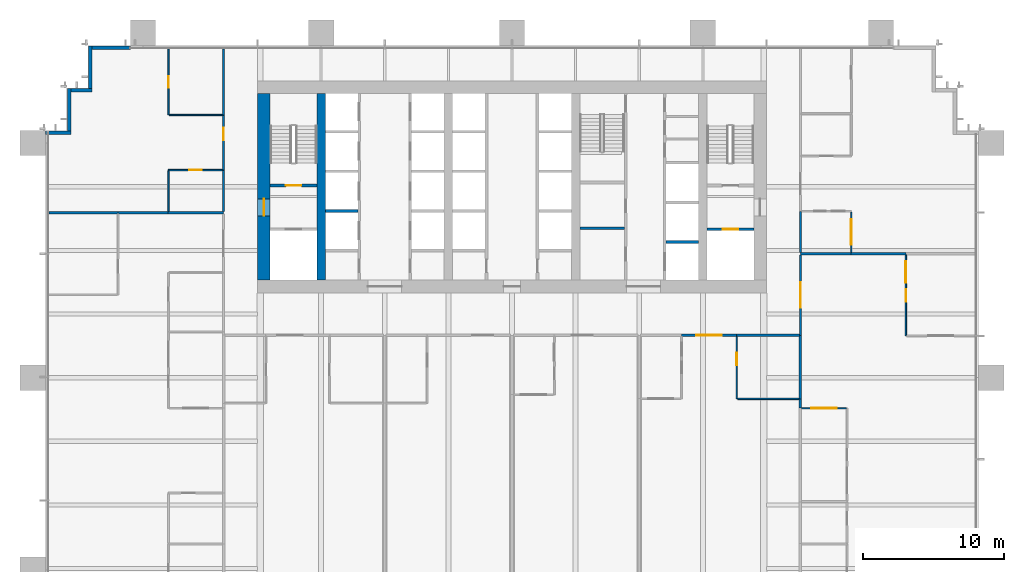
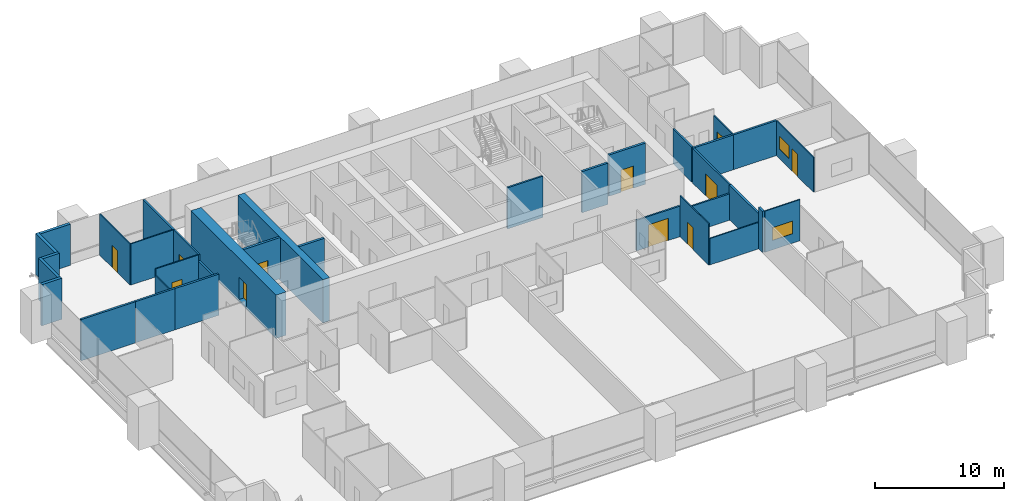
# One storey, part 13 of 18: 35 walls, 10 doors, 3 windows, 13 openings.
"""IFC4 building model written with IfcOpenShell, lengths in metres."""

from ifc_helpers import new_model, si_unit, direction, frame, frame_2d, origin, place, context, subcontext, project, spatial, rectangle, extrude, material, layer, layer_set, type_object, element, fill, save


model = new_model("IFC4")

# Units and contexts
model_context = context("Model", 3, precision=1e-05, world=origin(), true_north=direction((0.0, 1.0)))
body_context = subcontext(model_context, "Body", "Model", "MODEL_VIEW")
ifc_project = project(units=[si_unit("LENGTHUNIT", "METRE"), si_unit("AREAUNIT", "SQUARE_METRE"), si_unit("VOLUMEUNIT", "CUBIC_METRE"), si_unit("PLANEANGLEUNIT", "RADIAN"), si_unit("MASSUNIT", "GRAM", prefix="KILO")], contexts=[model_context])

# Site, building, storey
site_placement = place(None, origin())
site = spatial("IfcSite", under=ifc_project, at=site_placement, CompositionType="ELEMENT")
building_placement = place(site_placement, origin())
building = spatial("IfcBuilding", under=site, at=building_placement, Name="Rattan Terrace Tower", CompositionType="ELEMENT")
storey_placement = place(building_placement, frame((0.0, 0.0, 36.5)))
storey = spatial("IfcBuildingStorey", under=building, at=storey_placement, Name="L07", CompositionType="ELEMENT", Elevation=36.5)

# Wall
ifc_material_1 = material(Name="Gypsum board partition")
ifc_layer_1 = layer(ifc_material_1, 0.14990234375)
ifc_layer_set_1 = layer_set([ifc_layer_1], Name="Core partition 150")
wall_type_1 = type_object("IfcWallType", Name="Core partition 150", PredefinedType="PARTITIONING", material=ifc_layer_set_1)
wall_1_placement = place(storey_placement, frame((4.800048828125, -2.927978515625, 0.0), z_axis=(0.0, 0.0, 1.0), x_axis=(1.0, 0.0, 0.0)))
element("IfcWall", 1, at=wall_1_placement, inside=storey, type_object=wall_type_1, Name="Toilet wall", PredefinedType="PARTITIONING", context=body_context, shape_type="SweptSolid", body=[
    extrude(rectangle(XDim=3.14990234375, YDim=0.14990234375, at=frame_2d((1.574951171875, 0.0))), origin(), (0.0, 0.0, 1.0), 3.89990234375),
])

# Wall, opening, door
ifc_material_2 = material(Name="Gypsum board partition")
ifc_layer_2 = layer(ifc_material_2, 0.199951171875)
ifc_layer_set_2 = layer_set([ifc_layer_2], Name="Core partition 200")
wall_type_2 = type_object("IfcWallType", Name="Core partition 200", PredefinedType="PARTITIONING", material=ifc_layer_set_2)
wall_2_placement = place(storey_placement, frame((-17.10009765625, 0.10009765625, 0.0), z_axis=(0.0, 0.0, 1.0), x_axis=(1.0, 0.0, 0.0)))
wall_2 = element("IfcWall", 2, at=wall_2_placement, inside=storey, type_object=wall_type_2, Name="Stair enclosure wall", PredefinedType="PARTITIONING", context=body_context, shape_type="SweptSolid", body=[
    extrude(rectangle(XDim=3.300048828125, YDim=0.199951171875, at=frame_2d((1.64990234375, 0.0))), origin(), (0.0, 0.0, 1.0), 3.89990234375),
])
opening_1_placement = place(wall_2_placement, frame((1.10009765625, 0.0, 0.0)))
opening_1 = element("IfcOpeningElement", 3, at=opening_1_placement, cuts=wall_2, Name="Opening L07-D002", PredefinedType="OPENING", context=body_context, shape_type="SweptSolid", body=[
    extrude(rectangle(XDim=1.10009765625, YDim=2.10009765625, at=frame_2d((0.550048828125, 1.050048828125))), frame((0.0, 0.110595703125, 0.0), z_axis=(0.0, -1.0, 0.0), x_axis=(1.0, 0.0, 0.0)), (0.0, 0.0, 1.0), 0.220947265625),
])
ifc_material_3 = material(Name="Hollow-metal fire door leaf")
door_type_1 = type_object("IfcDoorType", Name="Core stair door 1100", OperationType="NOTDEFINED", PredefinedType="DOOR", material=ifc_material_3)
door_1_placement = place(opening_1_placement, origin())
door_1 = element("IfcDoor", 4, at=door_1_placement, inside=storey, type_object=door_type_1, Name="Door L07-D002", OperationType="SINGLE_SWING_RIGHT", OverallHeight=2.10009765625, OverallWidth=1.10009765625, PredefinedType="DOOR", context=body_context, shape_type="SweptSolid", body=[
    extrude(rectangle(XDim=1.10009765625, YDim=2.10009765625, at=frame_2d((0.550048828125, 1.050048828125))), frame((0.0, 0.02490234375, 0.0), z_axis=(0.0, -1.0, 0.0), x_axis=(1.0, 0.0, 0.0)), (0.0, 0.0, 1.0), 0.050048828125),
])
fill(opening_1, door_1)

wall_3_placement = place(storey_placement, frame((13.800048828125, -3.0, 0.0), z_axis=(0.0, 0.0, 1.0), x_axis=(1.0, 0.0, 0.0)))
wall_3 = element("IfcWall", 5, at=wall_3_placement, inside=storey, type_object=wall_type_2, Name="Fire-fighting lobby wall", PredefinedType="PARTITIONING", context=body_context, shape_type="SweptSolid", body=[
    extrude(rectangle(XDim=3.300048828125, YDim=0.199951171875, at=frame_2d((1.64990234375, 0.0))), origin(), (0.0, 0.0, 1.0), 3.89990234375),
])
opening_2_placement = place(wall_3_placement, frame((1.10009765625, 0.0, 0.0)))
opening_2 = element("IfcOpeningElement", 6, at=opening_2_placement, cuts=wall_3, Name="Opening L07-LD-FF2", PredefinedType="OPENING", context=body_context, shape_type="SweptSolid", body=[
    extrude(rectangle(XDim=1.10009765625, YDim=2.10009765625, at=frame_2d((0.550048828125, 1.050048828125))), frame((0.0, 0.110595703125, 0.0), z_axis=(0.0, -1.0, 0.0), x_axis=(1.0, 0.0, 0.0)), (0.0, 0.0, 1.0), 0.220947265625),
])
ifc_material_4 = material(Name="Brushed stainless landing door panel")
door_type_2 = type_object("IfcDoorType", Name="Core lift landing door 1100", OperationType="DOUBLE_DOOR_SLIDING", PredefinedType="DOOR", material=ifc_material_4)
door_2_placement = place(opening_2_placement, origin())
door_2 = element("IfcDoor", 7, at=door_2_placement, inside=storey, type_object=door_type_2, Name="Door L07-LD-FF2", OperationType="DOUBLE_DOOR_SLIDING", OverallHeight=2.10009765625, OverallWidth=1.10009765625, PredefinedType="DOOR", context=body_context, shape_type="SweptSolid", body=[
    extrude(rectangle(XDim=1.10009765625, YDim=2.10009765625, at=frame_2d((0.550048828125, 1.050048828125))), frame((0.0, 0.02490234375, 0.0), z_axis=(0.0, -1.0, 0.0), x_axis=(1.0, 0.0, 0.0)), (0.0, 0.0, 1.0), 0.050048828125),
])
fill(opening_2, door_2)

ifc_material_5 = material(Name="Concrete C70/85", Category="concrete")
ifc_layer_3 = layer(ifc_material_5, 0.89990234375)
ifc_layer_set_3 = layer_set([ifc_layer_3], Name="Core ring wall 900 C70/85")
wall_type_3 = type_object("IfcWallType", Name="Core ring wall 900 C70/85", PredefinedType="SHEAR", material=ifc_layer_set_3)
wall_4_placement = place(storey_placement, frame((-17.550048828125, -6.60009765625, -0.199951171875), z_axis=(0.0, 0.0, 1.0), x_axis=(0.0, 1.0, 0.0)))
wall_4 = element("IfcWall", 8, at=wall_4_placement, inside=storey, type_object=wall_type_3, Name="Rear core wall west", PredefinedType="SHEAR", context=body_context, shape_type="SweptSolid", body=[
    extrude(rectangle(XDim=13.2001953125, YDim=0.89990234375, at=frame_2d((6.60009765625, 0.0))), origin(), (0.0, 0.0, 1.0), 4.099853515625),
])
opening_3_placement = place(wall_4_placement, frame((4.550048828125, 0.0, 0.199951171875)))
opening_3 = element("IfcOpeningElement", 9, at=opening_3_placement, cuts=wall_4, Name="Opening L07-D001", PredefinedType="OPENING", context=body_context, shape_type="SweptSolid", body=[
    extrude(rectangle(XDim=1.199951171875, YDim=2.10009765625, at=frame_2d((0.60009765625, 1.050048828125))), frame((0.0, 0.46044921875, 0.0), z_axis=(0.0, -1.0, 0.0), x_axis=(1.0, 0.0, 0.0)), (0.0, 0.0, 1.0), 0.9208984375),
])
ifc_material_6 = material(Name="Hollow-metal fire door leaf")
door_type_3 = type_object("IfcDoorType", Name="Core fire-fighting lobby door 1200", OperationType="NOTDEFINED", PredefinedType="DOOR", material=ifc_material_6)
door_3_placement = place(opening_3_placement, origin())
door_3 = element("IfcDoor", 10, at=door_3_placement, inside=storey, type_object=door_type_3, Name="Door L07-D001", OperationType="SINGLE_SWING_LEFT", OverallHeight=2.10009765625, OverallWidth=1.199951171875, PredefinedType="DOOR", context=body_context, shape_type="SweptSolid", body=[
    extrude(rectangle(XDim=1.199951171875, YDim=2.10009765625, at=frame_2d((0.60009765625, 1.050048828125))), frame((0.0, 0.02490234375, 0.0), z_axis=(0.0, -1.0, 0.0), x_axis=(1.0, 0.0, 0.0)), (0.0, 0.0, 1.0), 0.050048828125),
])
fill(opening_3, door_3)

# Walls
ifc_material_7 = material(Name="Concrete C70/85", Category="concrete")
ifc_layer_4 = layer(ifc_material_7, 0.60009765625)
ifc_layer_set_4 = layer_set([ifc_layer_4], Name="Core spine wall 600 C70/85")
wall_type_4 = type_object("IfcWallType", Name="Core spine wall 600 C70/85", PredefinedType="SHEAR", material=ifc_layer_set_4)
wall_5_placement = place(storey_placement, frame((-13.5, -6.60009765625, -0.199951171875), z_axis=(0.0, 0.0, 1.0), x_axis=(0.0, 1.0, 0.0)))
element("IfcWall", 11, at=wall_5_placement, inside=storey, type_object=wall_type_4, Name="Core spine wall 1", PredefinedType="SHEAR", context=body_context, shape_type="SweptSolid", body=[
    extrude(rectangle(XDim=13.2001953125, YDim=0.60009765625, at=frame_2d((6.60009765625, 0.0))), origin(), (0.0, 0.0, 1.0), 4.099853515625),
])
ifc_material_8 = material(Name="Insulated aluminium-clad stud wall", Category="aluminium")
ifc_layer_5 = layer(ifc_material_8, 0.25)
ifc_layer_set_5 = layer_set([ifc_layer_5], Name="Facade Riser Wall 250")
wall_type_5 = type_object("IfcWallType", Name="Facade Riser Wall 250", PredefinedType="SOLIDWALL", material=ifc_layer_set_5)
wall_6_placement = place(storey_placement, frame((-27.0, 9.830078125, 0.0), z_axis=(0.0, 0.0, 1.0), x_axis=(-1.0, 0.0, 0.0)))
element("IfcWall", 12, at=wall_6_placement, inside=storey, type_object=wall_type_5, Name="Riser wall L07-11", PredefinedType="SOLIDWALL", context=body_context, shape_type="SweptSolid", body=[
    extrude(rectangle(XDim=2.705078125, YDim=0.25, at=frame_2d((1.3525390625, 0.0))), origin(), (0.0, 0.0, 1.0), 3.89990234375),
])
wall_7_placement = place(storey_placement, frame((-29.830078125, 9.955078125, 0.0), z_axis=(0.0, 0.0, 1.0), x_axis=(0.0, -1.0, 0.0)))
element("IfcWall", 13, at=wall_7_placement, inside=storey, type_object=wall_type_5, Name="Riser wall L07-12", PredefinedType="SOLIDWALL", context=body_context, shape_type="SweptSolid", body=[
    extrude(rectangle(XDim=3.0, YDim=0.25, at=frame_2d((1.5, 0.0))), origin(), (0.0, 0.0, 1.0), 3.89990234375),
])
wall_8_placement = place(storey_placement, frame((-29.705078125, 6.830078125, 0.0), z_axis=(0.0, 0.0, 1.0), x_axis=(-1.0, 0.0, 0.0)))
element("IfcWall", 14, at=wall_8_placement, inside=storey, type_object=wall_type_5, Name="Riser wall L07-13", PredefinedType="SOLIDWALL", context=body_context, shape_type="SweptSolid", body=[
    extrude(rectangle(XDim=1.5, YDim=0.25, at=frame_2d((0.75, 0.0))), origin(), (0.0, 0.0, 1.0), 3.89990234375),
])
wall_9_placement = place(storey_placement, frame((-31.330078125, 6.955078125, 0.0), z_axis=(0.0, 0.0, 1.0), x_axis=(0.0, -1.0, 0.0)))
element("IfcWall", 15, at=wall_9_placement, inside=storey, type_object=wall_type_5, Name="Riser wall L07-14", PredefinedType="SOLIDWALL", context=body_context, shape_type="SweptSolid", body=[
    extrude(rectangle(XDim=3.0, YDim=0.25, at=frame_2d((1.5, 0.0))), origin(), (0.0, 0.0, 1.0), 3.89990234375),
])
wall_10_placement = place(storey_placement, frame((-31.205078125, 3.830078125, 0.0), z_axis=(0.0, 0.0, 1.0), x_axis=(-1.0, 0.0, 0.0)))
element("IfcWall", 16, at=wall_10_placement, inside=storey, type_object=wall_type_5, Name="Riser wall L07-15", PredefinedType="SOLIDWALL", context=body_context, shape_type="SweptSolid", body=[
    extrude(rectangle(XDim=1.7998046875, YDim=0.25, at=frame_2d((0.89990234375, 0.0))), origin(), (0.0, 0.0, 1.0), 3.89990234375),
])
ifc_material_9 = material(Name="Double steel stud acoustic partition, gypsum board, mineral wool, fire rated", Category="steel")
ifc_layer_6 = layer(ifc_material_9, 0.179931640625)
ifc_layer_set_6 = layer_set([ifc_layer_6], Name="Floors Acoustic Party Wall 180")
wall_type_6 = type_object("IfcWallType", Name="Floors Acoustic Party Wall 180", PredefinedType="PARTITIONING", material=ifc_layer_set_6)
wall_11_placement = place(storey_placement, frame((-27.860107421875, -1.818115234375, 0.0), z_axis=(0.0, 0.0, 1.0), x_axis=(1.0, 0.0, 0.0)))
element("IfcWall", 17, at=wall_11_placement, inside=storey, type_object=wall_type_6, Name="pt-L07-032", PredefinedType="PARTITIONING", context=body_context, shape_type="SweptSolid", body=[
    extrude(rectangle(XDim=3.5400390625, YDim=0.179931640625, at=frame_2d((1.77001953125, 0.0))), origin(), (0.0, 0.0, 1.0), 3.89990234375),
])
wall_12_placement = place(storey_placement, frame((-24.320068359375, -1.818115234375, 0.0), z_axis=(0.0, 0.0, 1.0), x_axis=(1.0, 0.0, 0.0)))
element("IfcWall", 18, at=wall_12_placement, inside=storey, type_object=wall_type_6, Name="pt-L07-033", PredefinedType="PARTITIONING", context=body_context, shape_type="SweptSolid", body=[
    extrude(rectangle(XDim=3.920166015625, YDim=0.179931640625, at=frame_2d((1.9599609375, 0.0))), origin(), (0.0, 0.0, 1.0), 3.89990234375),
])
wall_13_placement = place(storey_placement, frame((-32.739990234375, -1.818115234375, 0.0), z_axis=(0.0, 0.0, 1.0), x_axis=(1.0, 0.0, 0.0)))
element("IfcWall", 19, at=wall_13_placement, inside=storey, type_object=wall_type_6, Name="pt-L07-035", PredefinedType="PARTITIONING", context=body_context, shape_type="SweptSolid", body=[
    extrude(rectangle(XDim=4.8798828125, YDim=0.179931640625, at=frame_2d((2.43994140625, 0.0))), origin(), (0.0, 0.0, 1.0), 3.89990234375),
])
wall_14_placement = place(storey_placement, frame((20.39990234375, -15.0, 0.0), z_axis=(0.0, 0.0, 1.0), x_axis=(0.0, -1.0, 0.0)))
element("IfcWall", 20, at=wall_14_placement, inside=storey, type_object=wall_type_6, Name="pt-L07-066", PredefinedType="PARTITIONING", context=body_context, shape_type="SweptSolid", body=[
    extrude(rectangle(XDim=0.639892578125, YDim=0.179931640625, at=frame_2d((0.31982421875, 0.0))), origin(), (0.0, 0.0, 1.0), 3.89990234375),
])
wall_15_placement = place(storey_placement, frame((20.39990234375, -10.5, 0.0), z_axis=(0.0, 0.0, 1.0), x_axis=(0.0, -1.0, 0.0)))
element("IfcWall", 21, at=wall_15_placement, inside=storey, type_object=wall_type_6, Name="pt-L07-071", PredefinedType="PARTITIONING", context=body_context, shape_type="SweptSolid", body=[
    extrude(rectangle(XDim=4.5, YDim=0.179931640625, at=frame_2d((2.25, 0.0))), origin(), (0.0, 0.0, 1.0), 3.300048828125),
])
wall_16_placement = place(storey_placement, frame((23.97998046875, -4.72705078125, 0.0), z_axis=(0.0, 0.0, 1.0), x_axis=(1.0, 0.0, 0.0)))
element("IfcWall", 22, at=wall_16_placement, inside=storey, type_object=wall_type_6, Name="pt-L07-079", PredefinedType="PARTITIONING", context=body_context, shape_type="SweptSolid", body=[
    extrude(rectangle(XDim=3.880126953125, YDim=0.179931640625, at=frame_2d((1.93994140625, 0.0))), origin(), (0.0, 0.0, 1.0), 3.300048828125),
])
wall_17_placement = place(storey_placement, frame((20.39990234375, -4.72705078125, 0.0), z_axis=(0.0, 0.0, 1.0), x_axis=(1.0, 0.0, 0.0)))
element("IfcWall", 23, at=wall_17_placement, inside=storey, type_object=wall_type_6, Name="pt-L07-080", PredefinedType="PARTITIONING", context=body_context, shape_type="SweptSolid", body=[
    extrude(rectangle(XDim=3.580078125, YDim=0.179931640625, at=frame_2d((1.7900390625, 0.0))), origin(), (0.0, 0.0, 1.0), 3.300048828125),
])
ifc_material_10 = material(Name="Gypsum board partition on steel studs", Category="steel")
ifc_layer_7 = layer(ifc_material_10, 0.10009765625)
ifc_layer_set_7 = layer_set([ifc_layer_7], Name="Floors Partition 100")
wall_type_7 = type_object("IfcWallType", Name="Floors Partition 100", PredefinedType="PARTITIONING", material=ifc_layer_set_7)
wall_18_placement = place(storey_placement, frame((-24.300048828125, 1.132080078125, 0.0), z_axis=(0.0, 0.0, 1.0), x_axis=(0.0, -1.0, 0.0)))
element("IfcWall", 24, at=wall_18_placement, inside=storey, type_object=wall_type_7, Name="pt-L07-044", PredefinedType="PARTITIONING", context=body_context, shape_type="SweptSolid", body=[
    extrude(rectangle(XDim=2.860107421875, YDim=0.10009765625, at=frame_2d((1.43017578125, 0.0))), origin(), (0.0, 0.0, 1.0), 3.300048828125),
])

# Wall, opening, door
wall_19_placement = place(storey_placement, frame((-20.47509765625, 1.181884765625, 0.0), z_axis=(0.0, 0.0, 1.0), x_axis=(-1.0, 0.0, 0.0)))
wall_19 = element("IfcWall", 25, at=wall_19_placement, inside=storey, type_object=wall_type_7, Name="pt-L07-045", PredefinedType="PARTITIONING", context=body_context, shape_type="SweptSolid", body=[
    extrude(rectangle(XDim=3.824951171875, YDim=0.10009765625, at=frame_2d((1.91259765625, 0.0))), origin(), (0.0, 0.0, 1.0), 3.89990234375),
])
opening_4_placement = place(wall_19_placement, frame((1.4619140625, 0.0, 0.0)))
opening_4 = element("IfcOpeningElement", 26, at=opening_4_placement, cuts=wall_19, Name="Opening L07-D108", PredefinedType="OPENING", context=body_context, shape_type="SweptSolid", body=[
    extrude(rectangle(XDim=0.89990234375, YDim=2.10009765625, at=frame_2d((0.449951171875, 1.050048828125))), frame((0.0, 0.060546875, 0.0), z_axis=(0.0, -1.0, 0.0), x_axis=(1.0, 0.0, 0.0)), (0.0, 0.0, 1.0), 0.12109375),
])
ifc_material_11 = material(Name="Solid core timber door, painted", Category="wood")
door_type_4 = type_object("IfcDoorType", Name="Floors Door 900x2100", OperationType="NOTDEFINED", PredefinedType="DOOR", material=ifc_material_11)
door_4_placement = place(opening_4_placement, origin())
door_4 = element("IfcDoor", 27, at=door_4_placement, inside=storey, type_object=door_type_4, Name="d-L07-108", OperationType="SINGLE_SWING_LEFT", OverallHeight=2.10009765625, OverallWidth=0.89990234375, PredefinedType="DOOR", context=body_context, shape_type="SweptSolid", body=[
    extrude(rectangle(XDim=0.89990234375, YDim=2.10009765625, at=frame_2d((0.449951171875, 1.050048828125))), frame((0.0, 0.02490234375, 0.0), z_axis=(0.0, -1.0, 0.0), x_axis=(1.0, 0.0, 0.0)), (0.0, 0.0, 1.0), 0.050048828125),
])
fill(opening_4, door_4)

wall_20_placement = place(storey_placement, frame((-24.300048828125, 9.739990234375, 0.0), z_axis=(0.0, 0.0, 1.0), x_axis=(0.0, -1.0, 0.0)))
wall_20 = element("IfcWall", 28, at=wall_20_placement, inside=storey, type_object=wall_type_7, Name="pt-L07-046", PredefinedType="PARTITIONING", context=body_context, shape_type="SweptSolid", body=[
    extrude(rectangle(XDim=4.657958984375, YDim=0.10009765625, at=frame_2d((2.3291015625, 0.0))), origin(), (0.0, 0.0, 1.0), 3.89990234375),
])
opening_5_placement = place(wall_20_placement, frame((1.928955078125, 0.0, 0.0)))
opening_5 = element("IfcOpeningElement", 29, at=opening_5_placement, cuts=wall_20, Name="Opening L07-D109", PredefinedType="OPENING", context=body_context, shape_type="SweptSolid", body=[
    extrude(rectangle(XDim=0.800048828125, YDim=2.10009765625, at=frame_2d((0.39990234375, 1.050048828125))), frame((0.0, 0.060546875, 0.0), z_axis=(0.0, -1.0, 0.0), x_axis=(1.0, 0.0, 0.0)), (0.0, 0.0, 1.0), 0.12109375),
])
ifc_material_12 = material(Name="Solid core timber door, painted", Category="wood")
door_type_5 = type_object("IfcDoorType", Name="Floors Store Door 800x2100", OperationType="NOTDEFINED", PredefinedType="DOOR", material=ifc_material_12)
door_5_placement = place(opening_5_placement, origin())
door_5 = element("IfcDoor", 30, at=door_5_placement, inside=storey, type_object=door_type_5, Name="d-L07-109", OperationType="SINGLE_SWING_RIGHT", OverallHeight=2.10009765625, OverallWidth=0.800048828125, PredefinedType="DOOR", context=body_context, shape_type="SweptSolid", body=[
    extrude(rectangle(XDim=0.800048828125, YDim=2.10009765625, at=frame_2d((0.39990234375, 1.050048828125))), frame((0.0, 0.02490234375, 0.0), z_axis=(0.0, -1.0, 0.0), x_axis=(1.0, 0.0, 0.0)), (0.0, 0.0, 1.0), 0.050048828125),
])
fill(opening_5, door_5)

# Wall
wall_21_placement = place(storey_placement, frame((-24.25, 5.08203125, 0.0), z_axis=(0.0, 0.0, 1.0), x_axis=(1.0, 0.0, 0.0)))
element("IfcWall", 31, at=wall_21_placement, inside=storey, type_object=wall_type_7, Name="pt-L07-047", PredefinedType="PARTITIONING", context=body_context, shape_type="SweptSolid", body=[
    extrude(rectangle(XDim=3.77490234375, YDim=0.10009765625, at=frame_2d((1.887451171875, 0.0))), origin(), (0.0, 0.0, 1.0), 3.89990234375),
])

# Wall, opening, door
wall_22_placement = place(storey_placement, frame((15.89990234375, -10.574951171875, 0.0), z_axis=(0.0, 0.0, 1.0), x_axis=(0.0, -1.0, 0.0)))
wall_22 = element("IfcWall", 32, at=wall_22_placement, inside=storey, type_object=wall_type_7, Name="pt-L07-064", PredefinedType="PARTITIONING", context=body_context, shape_type="SweptSolid", body=[
    extrude(rectangle(XDim=4.425048828125, YDim=0.10009765625, at=frame_2d((2.21240234375, 0.0))), origin(), (0.0, 0.0, 1.0), 3.89990234375),
])
opening_6_placement = place(wall_22_placement, frame((1.157958984375, 0.0, 0.0)))
opening_6 = element("IfcOpeningElement", 33, at=opening_6_placement, cuts=wall_22, Name="Opening L07-D119", PredefinedType="OPENING", context=body_context, shape_type="SweptSolid", body=[
    extrude(rectangle(XDim=0.89990234375, YDim=2.10009765625, at=frame_2d((0.449951171875, 1.050048828125))), frame((0.0, 0.060546875, 0.0), z_axis=(0.0, -1.0, 0.0), x_axis=(1.0, 0.0, 0.0)), (0.0, 0.0, 1.0), 0.12109375),
])
door_6_placement = place(opening_6_placement, origin())
door_6 = element("IfcDoor", 34, at=door_6_placement, inside=storey, type_object=door_type_4, Name="d-L07-119", OperationType="SINGLE_SWING_LEFT", OverallHeight=2.10009765625, OverallWidth=0.89990234375, PredefinedType="DOOR", context=body_context, shape_type="SweptSolid", body=[
    extrude(rectangle(XDim=0.89990234375, YDim=2.10009765625, at=frame_2d((0.449951171875, 1.050048828125))), frame((0.0, 0.02490234375, 0.0), z_axis=(0.0, -1.0, 0.0), x_axis=(1.0, 0.0, 0.0)), (0.0, 0.0, 1.0), 0.050048828125),
])
fill(opening_6, door_6)

# Wall
wall_23_placement = place(storey_placement, frame((15.949951171875, -15.0, 0.0), z_axis=(0.0, 0.0, 1.0), x_axis=(1.0, 0.0, 0.0)))
element("IfcWall", 35, at=wall_23_placement, inside=storey, type_object=wall_type_7, Name="pt-L07-065", PredefinedType="PARTITIONING", context=body_context, shape_type="SweptSolid", body=[
    extrude(rectangle(XDim=4.360107421875, YDim=0.10009765625, at=frame_2d((2.18017578125, 0.0))), origin(), (0.0, 0.0, 1.0), 2.5),
])

# Wall, openings, door, window
wall_24_placement = place(storey_placement, frame((27.860107421875, -4.81689453125, 0.0), z_axis=(0.0, 0.0, 1.0), x_axis=(0.0, -1.0, 0.0)))
wall_24 = element("IfcWall", 36, at=wall_24_placement, inside=storey, type_object=wall_type_7, Name="pt-L07-072", PredefinedType="PARTITIONING", context=body_context, shape_type="SweptSolid", body=[
    extrude(rectangle(XDim=5.72802734375, YDim=0.10009765625, at=frame_2d((2.864013671875, 0.0))), origin(), (0.0, 0.0, 1.0), 3.300048828125),
])
opening_7_placement = place(wall_24_placement, frame((2.4140625, 0.0, 0.0)))
opening_7 = element("IfcOpeningElement", 37, at=opening_7_placement, cuts=wall_24, Name="Opening L07-D121", PredefinedType="OPENING", context=body_context, shape_type="SweptSolid", body=[
    extrude(rectangle(XDim=0.89990234375, YDim=2.10009765625, at=frame_2d((0.449951171875, 1.050048828125))), frame((0.0, 0.060546875, 0.0), z_axis=(0.0, -1.0, 0.0), x_axis=(1.0, 0.0, 0.0)), (0.0, 0.0, 1.0), 0.12109375),
])
opening_8_placement = place(wall_24_placement, frame((0.45703125, 0.0, 0.89990234375)))
opening_8 = element("IfcOpeningElement", 38, at=opening_8_placement, cuts=wall_24, Name="Opening L07-W106", PredefinedType="OPENING", context=body_context, shape_type="SweptSolid", body=[
    extrude(rectangle(XDim=1.5, YDim=1.199951171875, at=frame_2d((0.75, 0.60009765625))), frame((0.0, 0.060546875, 0.0), z_axis=(0.0, -1.0, 0.0), x_axis=(1.0, 0.0, 0.0)), (0.0, 0.0, 1.0), 0.12109375),
])
door_7_placement = place(opening_7_placement, origin())
door_7 = element("IfcDoor", 39, at=door_7_placement, inside=storey, type_object=door_type_4, Name="d-L07-121", OperationType="SINGLE_SWING_RIGHT", OverallHeight=2.10009765625, OverallWidth=0.89990234375, PredefinedType="DOOR", context=body_context, shape_type="SweptSolid", body=[
    extrude(rectangle(XDim=0.89990234375, YDim=2.10009765625, at=frame_2d((0.449951171875, 1.050048828125))), frame((0.0, 0.02490234375, 0.0), z_axis=(0.0, -1.0, 0.0), x_axis=(1.0, 0.0, 0.0)), (0.0, 0.0, 1.0), 0.050048828125),
])
fill(opening_7, door_7)
ifc_material_13 = material(Name="Glass, clear, fixed in aluminium frame", Category="aluminium")
window_type_1 = type_object("IfcWindowType", Name="Interior Vision Window 1500x1200", PartitioningType="SINGLE_PANEL", PredefinedType="WINDOW", material=ifc_material_13)
window_1_placement = place(opening_8_placement, origin())
window_1 = element("IfcWindow", 40, at=window_1_placement, inside=storey, type_object=window_type_1, Name="w-L07-106", OverallHeight=1.199951171875, OverallWidth=1.5, PartitioningType="SINGLE_PANEL", PredefinedType="WINDOW", context=body_context, shape_type="SweptSolid", body=[
    extrude(rectangle(XDim=1.5, YDim=1.199951171875, at=frame_2d((0.75, 0.60009765625))), frame((0.0, 0.030029296875, 0.0), z_axis=(0.0, -1.0, 0.0), x_axis=(1.0, 0.0, 0.0)), (0.0, 0.0, 1.0), 0.06005859375),
])
fill(opening_8, window_1)

# Wall, opening, window
wall_25_placement = place(storey_placement, frame((23.64990234375, -15.659912109375, 0.0), z_axis=(0.0, 0.0, 1.0), x_axis=(-1.0, 0.0, 0.0)))
wall_25 = element("IfcWall", 41, at=wall_25_placement, inside=storey, type_object=wall_type_7, Name="pt-L07-077", PredefinedType="PARTITIONING", context=body_context, shape_type="SweptSolid", body=[
    extrude(rectangle(XDim=3.159912109375, YDim=0.10009765625, at=frame_2d((1.580078125, 0.0))), origin(), (0.0, 0.0, 1.0), 3.89990234375),
])
opening_9_placement = place(wall_25_placement, frame((0.679931640625, 0.0, 0.89990234375)))
opening_9 = element("IfcOpeningElement", 42, at=opening_9_placement, cuts=wall_25, Name="Opening L07-W108", PredefinedType="OPENING", context=body_context, shape_type="SweptSolid", body=[
    extrude(rectangle(XDim=1.800048828125, YDim=1.199951171875, at=frame_2d((0.89990234375, 0.60009765625))), frame((0.0, 0.060546875, 0.0), z_axis=(0.0, -1.0, 0.0), x_axis=(1.0, 0.0, 0.0)), (0.0, 0.0, 1.0), 0.12109375),
])
ifc_material_14 = material(Name="Glass, clear, fixed in aluminium frame", Category="aluminium")
window_type_2 = type_object("IfcWindowType", Name="Interior Vision Window 1800x1200", PartitioningType="SINGLE_PANEL", PredefinedType="WINDOW", material=ifc_material_14)
window_2_placement = place(opening_9_placement, origin())
window_2 = element("IfcWindow", 43, at=window_2_placement, inside=storey, type_object=window_type_2, Name="w-L07-108", OverallHeight=1.199951171875, OverallWidth=1.800048828125, PartitioningType="SINGLE_PANEL", PredefinedType="WINDOW", context=body_context, shape_type="SweptSolid", body=[
    extrude(rectangle(XDim=1.800048828125, YDim=1.199951171875, at=frame_2d((0.89990234375, 0.60009765625))), frame((0.0, 0.030029296875, 0.0), z_axis=(0.0, -1.0, 0.0), x_axis=(1.0, 0.0, 0.0)), (0.0, 0.0, 1.0), 0.06005859375),
])
fill(opening_9, window_2)

wall_26_placement = place(storey_placement, frame((24.0, -4.636962890625, 0.0), z_axis=(0.0, 0.0, 1.0), x_axis=(0.0, 1.0, 0.0)))
wall_26 = element("IfcWall", 44, at=wall_26_placement, inside=storey, type_object=wall_type_7, Name="pt-L07-086", PredefinedType="PARTITIONING", context=body_context, shape_type="SweptSolid", body=[
    extrude(rectangle(XDim=2.85986328125, YDim=0.10009765625, at=frame_2d((1.429931640625, 0.0))), origin(), (0.0, 0.0, 1.0), 3.300048828125),
])
opening_10_placement = place(wall_26_placement, frame((0.530029296875, 0.0, 0.89990234375)))
opening_10 = element("IfcOpeningElement", 45, at=opening_10_placement, cuts=wall_26, Name="Opening L07-W111", PredefinedType="OPENING", context=body_context, shape_type="SweptSolid", body=[
    extrude(rectangle(XDim=1.800048828125, YDim=1.199951171875, at=frame_2d((0.89990234375, 0.60009765625))), frame((0.0, 0.060546875, 0.0), z_axis=(0.0, -1.0, 0.0), x_axis=(1.0, 0.0, 0.0)), (0.0, 0.0, 1.0), 0.12109375),
])
window_3_placement = place(opening_10_placement, origin())
window_3 = element("IfcWindow", 46, at=window_3_placement, inside=storey, type_object=window_type_2, Name="w-L07-111", OverallHeight=1.199951171875, OverallWidth=1.800048828125, PartitioningType="SINGLE_PANEL", PredefinedType="WINDOW", context=body_context, shape_type="SweptSolid", body=[
    extrude(rectangle(XDim=1.800048828125, YDim=1.199951171875, at=frame_2d((0.89990234375, 0.60009765625))), frame((0.0, 0.030029296875, 0.0), z_axis=(0.0, -1.0, 0.0), x_axis=(1.0, 0.0, 0.0)), (0.0, 0.0, 1.0), 0.06005859375),
])
fill(opening_10, window_3)

# Wall, opening, door
ifc_material_15 = material(Name="Gypsum board partition on steel studs, fire rated", Category="steel")
ifc_layer_8 = layer(ifc_material_15, 0.14990234375)
ifc_layer_set_8 = layer_set([ifc_layer_8], Name="Floors Tenancy Wall 150")
wall_type_8 = type_object("IfcWallType", Name="Floors Tenancy Wall 150", PredefinedType="PARTITIONING", material=ifc_layer_set_8)
wall_27_placement = place(storey_placement, frame((-20.39990234375, 1.162109375, 0.0), z_axis=(0.0, 0.0, 1.0), x_axis=(0.0, 1.0, 0.0)))
wall_27 = element("IfcWall", 47, at=wall_27_placement, inside=storey, type_object=wall_type_8, Name="pt-L07-004", PredefinedType="PARTITIONING", context=body_context, shape_type="SweptSolid", body=[
    extrude(rectangle(XDim=3.89990234375, YDim=0.14990234375, at=frame_2d((1.949951171875, 0.0))), origin(), (0.0, 0.0, 1.0), 3.89990234375),
])
opening_11_placement = place(wall_27_placement, frame((2.125, 0.0, 0.0)))
opening_11 = element("IfcOpeningElement", 48, at=opening_11_placement, cuts=wall_27, Name="Opening L07-D107", PredefinedType="OPENING", context=body_context, shape_type="SweptSolid", body=[
    extrude(rectangle(XDim=0.89990234375, YDim=2.10009765625, at=frame_2d((0.449951171875, 1.050048828125))), frame((0.0, 0.08544921875, 0.0), z_axis=(0.0, -1.0, 0.0), x_axis=(1.0, 0.0, 0.0)), (0.0, 0.0, 1.0), 0.1708984375),
])
ifc_material_16 = material(Name="Steel fire door set", Category="steel")
door_type_6 = type_object("IfcDoorType", Name="Floors Fire Door FD30S 900x2100", OperationType="NOTDEFINED", PredefinedType="DOOR", material=ifc_material_16)
door_8_placement = place(opening_11_placement, origin())
door_8 = element("IfcDoor", 49, at=door_8_placement, inside=storey, type_object=door_type_6, Name="d-L07-107", OperationType="SINGLE_SWING_RIGHT", OverallHeight=2.10009765625, OverallWidth=0.89990234375, PredefinedType="DOOR", context=body_context, shape_type="SweptSolid", body=[
    extrude(rectangle(XDim=0.89990234375, YDim=2.10009765625, at=frame_2d((0.449951171875, 1.050048828125))), frame((0.0, 0.02490234375, 0.0), z_axis=(0.0, -1.0, 0.0), x_axis=(1.0, 0.0, 0.0)), (0.0, 0.0, 1.0), 0.050048828125),
])
fill(opening_11, door_8)

# Walls
wall_28_placement = place(storey_placement, frame((-20.39990234375, -1.72802734375, 0.0), z_axis=(0.0, 0.0, 1.0), x_axis=(0.0, 1.0, 0.0)))
element("IfcWall", 50, at=wall_28_placement, inside=storey, type_object=wall_type_8, Name="pt-L07-005", PredefinedType="PARTITIONING", context=body_context, shape_type="SweptSolid", body=[
    extrude(rectangle(XDim=2.89013671875, YDim=0.14990234375, at=frame_2d((1.445068359375, 0.0))), origin(), (0.0, 0.0, 1.0), 3.300048828125),
])
wall_29_placement = place(storey_placement, frame((-20.39990234375, 5.06201171875, 0.0), z_axis=(0.0, 0.0, 1.0), x_axis=(0.0, 1.0, 0.0)))
element("IfcWall", 51, at=wall_29_placement, inside=storey, type_object=wall_type_8, Name="pt-L07-006", PredefinedType="PARTITIONING", context=body_context, shape_type="SweptSolid", body=[
    extrude(rectangle(XDim=4.677978515625, YDim=0.14990234375, at=frame_2d((2.3388671875, 0.0))), origin(), (0.0, 0.0, 1.0), 3.89990234375),
])

# Wall, opening, door
wall_30_placement = place(storey_placement, frame((15.8798828125, -10.5, 0.0), z_axis=(0.0, 0.0, 1.0), x_axis=(-1.0, 0.0, 0.0)))
wall_30 = element("IfcWall", 52, at=wall_30_placement, inside=storey, type_object=wall_type_8, Name="pt-L07-014", PredefinedType="PARTITIONING", context=body_context, shape_type="SweptSolid", body=[
    extrude(rectangle(XDim=3.89990234375, YDim=0.14990234375, at=frame_2d((1.949951171875, 0.0))), origin(), (0.0, 0.0, 1.0), 2.89990234375),
])
opening_12_placement = place(wall_30_placement, frame((1.050048828125, 0.0, 0.0)))
opening_12 = element("IfcOpeningElement", 53, at=opening_12_placement, cuts=wall_30, Name="Opening L07-D117", PredefinedType="OPENING", context=body_context, shape_type="SweptSolid", body=[
    extrude(rectangle(XDim=1.800048828125, YDim=2.10009765625, at=frame_2d((0.89990234375, 1.050048828125))), frame((0.0, 0.08544921875, 0.0), z_axis=(0.0, -1.0, 0.0), x_axis=(1.0, 0.0, 0.0)), (0.0, 0.0, 1.0), 0.1708984375),
])
ifc_material_17 = material(Name="Steel fire door set", Category="steel")
door_type_7 = type_object("IfcDoorType", Name="Floors Fire Door Pair FD30S 1800x2100", OperationType="NOTDEFINED", PredefinedType="DOOR", material=ifc_material_17)
door_9_placement = place(opening_12_placement, origin())
door_9 = element("IfcDoor", 54, at=door_9_placement, inside=storey, type_object=door_type_7, Name="d-L07-117", OperationType="DOUBLE_DOOR_SINGLE_SWING", OverallHeight=2.10009765625, OverallWidth=1.800048828125, PredefinedType="DOOR", context=body_context, shape_type="SweptSolid", body=[
    extrude(rectangle(XDim=1.800048828125, YDim=2.10009765625, at=frame_2d((0.89990234375, 1.050048828125))), frame((0.0, 0.02490234375, 0.0), z_axis=(0.0, -1.0, 0.0), x_axis=(1.0, 0.0, 0.0)), (0.0, 0.0, 1.0), 0.050048828125),
])
fill(opening_12, door_9)

# Wall
wall_31_placement = place(storey_placement, frame((20.324951171875, -10.5, 0.0), z_axis=(0.0, 0.0, 1.0), x_axis=(-1.0, 0.0, 0.0)))
element("IfcWall", 55, at=wall_31_placement, inside=storey, type_object=wall_type_8, Name="pt-L07-016", PredefinedType="PARTITIONING", context=body_context, shape_type="SweptSolid", body=[
    extrude(rectangle(XDim=4.445068359375, YDim=0.14990234375, at=frame_2d((2.22265625, 0.0))), origin(), (0.0, 0.0, 1.0), 2.5),
])

# Wall, opening, door
wall_32_placement = place(storey_placement, frame((20.39990234375, -4.81689453125, 0.0), z_axis=(0.0, 0.0, 1.0), x_axis=(0.0, -1.0, 0.0)))
wall_32 = element("IfcWall", 56, at=wall_32_placement, inside=storey, type_object=wall_type_8, Name="pt-L07-017", PredefinedType="PARTITIONING", context=body_context, shape_type="SweptSolid", body=[
    extrude(rectangle(XDim=5.68310546875, YDim=0.14990234375, at=frame_2d((2.841552734375, 0.0))), origin(), (0.0, 0.0, 1.0), 3.300048828125),
])
opening_13_placement = place(wall_32_placement, frame((1.94189453125, 0.0, 0.0)))
opening_13 = element("IfcOpeningElement", 57, at=opening_13_placement, cuts=wall_32, Name="Opening L07-D120", PredefinedType="OPENING", context=body_context, shape_type="SweptSolid", body=[
    extrude(rectangle(XDim=1.800048828125, YDim=2.10009765625, at=frame_2d((0.89990234375, 1.050048828125))), frame((0.0, 0.08544921875, 0.0), z_axis=(0.0, -1.0, 0.0), x_axis=(1.0, 0.0, 0.0)), (0.0, 0.0, 1.0), 0.1708984375),
])
door_10_placement = place(opening_13_placement, origin())
door_10 = element("IfcDoor", 58, at=door_10_placement, inside=storey, type_object=door_type_7, Name="d-L07-120", OperationType="DOUBLE_DOOR_SINGLE_SWING", OverallHeight=2.10009765625, OverallWidth=1.800048828125, PredefinedType="DOOR", context=body_context, shape_type="SweptSolid", body=[
    extrude(rectangle(XDim=1.800048828125, YDim=2.10009765625, at=frame_2d((0.89990234375, 1.050048828125))), frame((0.0, 0.02490234375, 0.0), z_axis=(0.0, -1.0, 0.0), x_axis=(1.0, 0.0, 0.0)), (0.0, 0.0, 1.0), 0.050048828125),
])
fill(opening_13, door_10)

# Walls
wall_33_placement = place(storey_placement, frame((20.39990234375, -1.7470703125, 0.0), z_axis=(0.0, 0.0, 1.0), x_axis=(0.0, -1.0, 0.0)))
element("IfcWall", 59, at=wall_33_placement, inside=storey, type_object=wall_type_8, Name="pt-L07-019", PredefinedType="PARTITIONING", context=body_context, shape_type="SweptSolid", body=[
    extrude(rectangle(XDim=2.889892578125, YDim=0.14990234375, at=frame_2d((1.44482421875, 0.0))), origin(), (0.0, 0.0, 1.0), 3.300048828125),
])
ifc_material_18 = material(Name="Gypsum shaft wall system")
ifc_layer_9 = layer(ifc_material_18, 0.199951171875)
ifc_layer_set_9 = layer_set([ifc_layer_9], Name="Lift shaft wall 200")
wall_type_9 = type_object("IfcWallType", Name="Lift shaft wall 200", PredefinedType="PARTITIONING", material=ifc_layer_set_9)
for number, where, z_axis, x_axis, name in (
    (60, (-13.199951171875, -1.699951171875, 0.0), (0.0, 0.0, 1.0), (1.0, 0.0, 0.0), "Lift shaft wall"),
    (61, (10.89990234375, -3.89990234375, 0.0), (0.0, 0.0, 1.0), (1.0, 0.0, 0.0), "Lift shaft wall"),
):
    element("IfcWall", number, at=place(storey_placement, frame(where, z_axis=z_axis, x_axis=x_axis)), inside=storey, type_object=wall_type_9, Name=name, PredefinedType="PARTITIONING", context=body_context, shape_type="SweptSolid", body=[
        extrude(rectangle(XDim=2.300048828125, YDim=0.199951171875, at=frame_2d((1.14990234375, 0.0))), origin(), (0.0, 0.0, 1.0), 3.89990234375),
    ])

save(model, "model.ifc")
